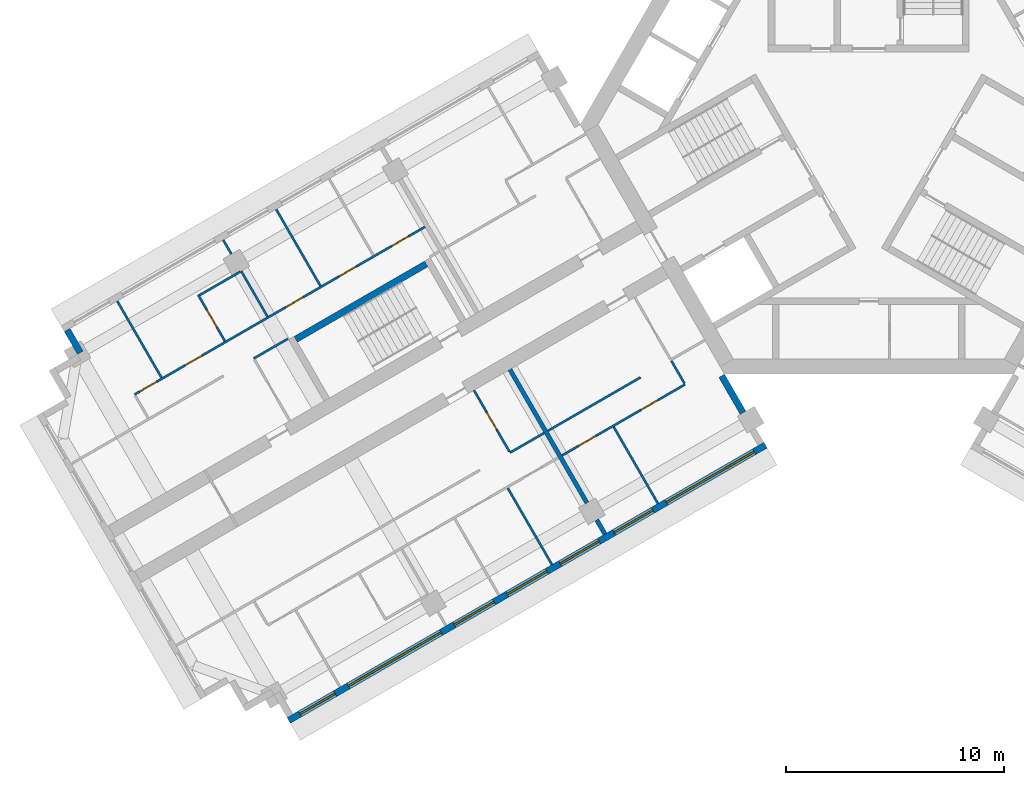
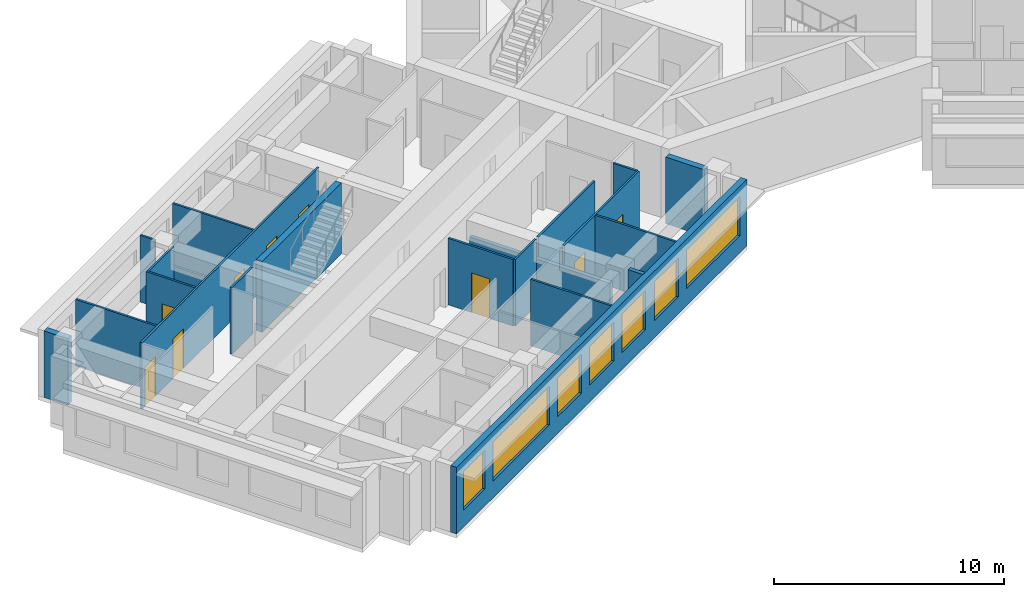
# One storey, part 3 of 12: 21 walls, 9 doors, 7 windows, 16 openings.
"""IFC4 building model written with IfcOpenShell, lengths in metres."""

from ifc_helpers import new_model, si_unit, direction, frame, frame_2d, origin, place, context, subcontext, project, spatial, rectangle, extrude, material, layer, layer_set, type_object, element, fill, save


model = new_model("IFC4")

# Units and contexts
model_context = context("Model", 3, precision=1e-05, world=origin(), true_north=direction((0.0, 1.0)))
body_context = subcontext(model_context, "Body", "Model", "MODEL_VIEW")
ifc_project = project(units=[si_unit("LENGTHUNIT", "METRE"), si_unit("AREAUNIT", "SQUARE_METRE"), si_unit("VOLUMEUNIT", "CUBIC_METRE"), si_unit("PLANEANGLEUNIT", "RADIAN"), si_unit("MASSUNIT", "GRAM", prefix="KILO")], contexts=[model_context])

# Site, building, storey
site_placement = place(None, origin())
site = spatial("IfcSite", under=ifc_project, at=site_placement, CompositionType="ELEMENT")
building_placement = place(site_placement, origin())
building = spatial("IfcBuilding", under=site, at=building_placement, Name="Impinga Residences", CompositionType="ELEMENT")
storey_placement = place(building_placement, frame((0.0, 0.0, 211.0)))
storey = spatial("IfcBuildingStorey", under=building, at=storey_placement, Name="L52", CompositionType="ELEMENT", Elevation=211.0)

# Walls
ifc_material_1 = material(Name="Terracotta rainscreen on blockwork", Category="masonry")
ifc_layer_1 = layer(ifc_material_1, 0.300048828125)
ifc_layer_set_1 = layer_set([ifc_layer_1], Name="EW1 external wall, terracotta rainscreen on blockwork 300")
wall_type_1 = type_object("IfcWallType", Name="EW1 external wall, terracotta rainscreen on blockwork 300", PredefinedType="SOLIDWALL", material=ifc_layer_set_1)
wall_1_placement = place(storey_placement, frame((-36.093994140625, -10.446533203125, 0.0), z_axis=(0.0, 0.0, 1.0), x_axis=(-0.499880961361, 0.866094119867, 0.0)))
element("IfcWall", 1, at=wall_1_placement, inside=storey, type_object=wall_type_1, Name="External wall EW1 L52", PredefinedType="SOLIDWALL", context=body_context, shape_type="SweptSolid", body=[
    extrude(rectangle(XDim=1.199951171875, YDim=0.300048828125, at=frame_2d((0.60009765625, 0.0))), origin(), (0.0, 0.0, 1.0), 3.530029296875),
])
wall_2_placement = place(storey_placement, frame((-6.72998046875, -11.506591796875, 0.0), z_axis=(0.0, 0.0, 1.0), x_axis=(0.500043961785, -0.866000020948, 0.0)))
element("IfcWall", 2, at=wall_2_placement, inside=storey, type_object=wall_type_1, Name="External wall EW1 L52", PredefinedType="SOLIDWALL", context=body_context, shape_type="SweptSolid", body=[
    extrude(rectangle(XDim=1.949951171875, YDim=0.300048828125, at=frame_2d((0.97509765625, 0.0))), origin(), (0.0, 0.0, 1.0), 3.530029296875),
])

# Wall, openings, windows
wall_3_placement = place(storey_placement, frame((-4.72509765625, -14.67919921875, 0.0), z_axis=(0.0, 0.0, 1.0), x_axis=(-0.866026832479, -0.499997525421, 0.0)))
wall_3 = element("IfcWall", 3, at=wall_3_placement, inside=storey, type_object=wall_type_1, Name="External wall EW1 L52", PredefinedType="SOLIDWALL", context=body_context, shape_type="SweptSolid", body=[
    extrude(rectangle(XDim=25.199951171875, YDim=0.300048828125, at=frame_2d((12.60009765625, 0.0))), origin(), (0.0, 0.0, 1.0), 3.530029296875),
])
opening_1_placement = place(wall_3_placement, frame((0.60009765625, 0.0, 0.89990234375)))
opening_1 = element("IfcOpeningElement", 4, at=opening_1_placement, cuts=wall_3, Name="Opening W10", PredefinedType="OPENING", context=body_context, shape_type="SweptSolid", body=[
    extrude(rectangle(XDim=4.64990234375, YDim=2.050048828125, at=frame_2d((2.324951171875, 1.02490234375))), frame((0.0, 0.159912109375, 0.0), z_axis=(0.0, -1.0, 0.0), x_axis=(1.0, 0.0, 0.0)), (0.0, 0.0, 1.0), 0.320068359375),
])
opening_2_placement = place(wall_3_placement, frame((5.949951171875, 0.0, 0.89990234375)))
opening_2 = element("IfcOpeningElement", 5, at=opening_2_placement, cuts=wall_3, Name="Opening W14", PredefinedType="OPENING", context=body_context, shape_type="SweptSolid", body=[
    extrude(rectangle(XDim=2.050048828125, YDim=2.050048828125, at=frame_2d((1.02490234375, 1.02490234375))), frame((0.0, 0.159912109375, 0.0), z_axis=(0.0, -1.0, 0.0), x_axis=(1.0, 0.0, 0.0)), (0.0, 0.0, 1.0), 0.320068359375),
])
opening_3_placement = place(wall_3_placement, frame((8.800048828125, 0.0, 0.89990234375)))
opening_3 = element("IfcOpeningElement", 6, at=opening_3_placement, cuts=wall_3, Name="Opening W14", PredefinedType="OPENING", context=body_context, shape_type="SweptSolid", body=[
    extrude(rectangle(XDim=2.050048828125, YDim=2.050048828125, at=frame_2d((1.02490234375, 1.02490234375))), frame((0.0, 0.159912109375, 0.0), z_axis=(0.0, -1.0, 0.0), x_axis=(1.0, 0.0, 0.0)), (0.0, 0.0, 1.0), 0.320068359375),
])
opening_4_placement = place(wall_3_placement, frame((11.550048828125, 0.0, 0.89990234375)))
opening_4 = element("IfcOpeningElement", 7, at=opening_4_placement, cuts=wall_3, Name="Opening W9", PredefinedType="OPENING", context=body_context, shape_type="SweptSolid", body=[
    extrude(rectangle(XDim=2.10009765625, YDim=2.050048828125, at=frame_2d((1.050048828125, 1.02490234375))), frame((0.0, 0.159912109375, 0.0), z_axis=(0.0, -1.0, 0.0), x_axis=(1.0, 0.0, 0.0)), (0.0, 0.0, 1.0), 0.320068359375),
])
opening_5_placement = place(wall_3_placement, frame((14.35009765625, 0.0, 0.89990234375)))
opening_5 = element("IfcOpeningElement", 8, at=opening_5_placement, cuts=wall_3, Name="Opening W9", PredefinedType="OPENING", context=body_context, shape_type="SweptSolid", body=[
    extrude(rectangle(XDim=2.10009765625, YDim=2.050048828125, at=frame_2d((1.050048828125, 1.02490234375))), frame((0.0, 0.159912109375, 0.0), z_axis=(0.0, -1.0, 0.0), x_axis=(1.0, 0.0, 0.0)), (0.0, 0.0, 1.0), 0.320068359375),
])
opening_6_placement = place(wall_3_placement, frame((17.14990234375, 0.0, 0.89990234375)))
opening_6 = element("IfcOpeningElement", 9, at=opening_6_placement, cuts=wall_3, Name="Opening W16", PredefinedType="OPENING", context=body_context, shape_type="SweptSolid", body=[
    extrude(rectangle(XDim=4.89990234375, YDim=2.050048828125, at=frame_2d((2.449951171875, 1.02490234375))), frame((0.0, 0.159912109375, 0.0), z_axis=(0.0, -1.0, 0.0), x_axis=(1.0, 0.0, 0.0)), (0.0, 0.0, 1.0), 0.320068359375),
])
opening_7_placement = place(wall_3_placement, frame((22.75, 0.0, 0.89990234375)))
opening_7 = element("IfcOpeningElement", 10, at=opening_7_placement, cuts=wall_3, Name="Opening W15", PredefinedType="OPENING", context=body_context, shape_type="SweptSolid", body=[
    extrude(rectangle(XDim=1.85009765625, YDim=2.050048828125, at=frame_2d((0.925048828125, 1.02490234375))), frame((0.0, 0.159912109375, 0.0), z_axis=(0.0, -1.0, 0.0), x_axis=(1.0, 0.0, 0.0)), (0.0, 0.0, 1.0), 0.320068359375),
])
ifc_material_2 = material(Name="Aluminium window, clear double glazing", Category="aluminium")
window_type_1 = type_object("IfcWindowType", Name="W10 ribbon window 4650x2050", PartitioningType="SINGLE_PANEL", PredefinedType="WINDOW", material=ifc_material_2)
window_1_placement = place(opening_1_placement, origin())
window_1 = element("IfcWindow", 11, at=window_1_placement, inside=storey, type_object=window_type_1, Name="Window L52", OverallHeight=2.050048828125, OverallWidth=4.64990234375, PartitioningType="SINGLE_PANEL", PredefinedType="WINDOW", context=body_context, shape_type="SweptSolid", body=[
    extrude(rectangle(XDim=4.64990234375, YDim=2.050048828125, at=frame_2d((2.324951171875, 1.02490234375))), frame((0.0, 0.030029296875, 0.0), z_axis=(0.0, -1.0, 0.0), x_axis=(1.0, 0.0, 0.0)), (0.0, 0.0, 1.0), 0.06005859375),
])
fill(opening_1, window_1)
window_type_2 = type_object("IfcWindowType", Name="W14 ribbon window 2050x2050", PartitioningType="SINGLE_PANEL", PredefinedType="WINDOW", material=ifc_material_2)
window_2_placement = place(opening_2_placement, origin())
window_2 = element("IfcWindow", 12, at=window_2_placement, inside=storey, type_object=window_type_2, Name="Window L52", OverallHeight=2.050048828125, OverallWidth=2.050048828125, PartitioningType="SINGLE_PANEL", PredefinedType="WINDOW", context=body_context, shape_type="SweptSolid", body=[
    extrude(rectangle(XDim=2.050048828125, YDim=2.050048828125, at=frame_2d((1.02490234375, 1.02490234375))), frame((0.0, 0.030029296875, 0.0), z_axis=(0.0, -1.0, 0.0), x_axis=(1.0, 0.0, 0.0)), (0.0, 0.0, 1.0), 0.06005859375),
])
fill(opening_2, window_2)
window_3_placement = place(opening_3_placement, origin())
window_3 = element("IfcWindow", 13, at=window_3_placement, inside=storey, type_object=window_type_2, Name="Window L52", OverallHeight=2.050048828125, OverallWidth=2.050048828125, PartitioningType="SINGLE_PANEL", PredefinedType="WINDOW", context=body_context, shape_type="SweptSolid", body=[
    extrude(rectangle(XDim=2.050048828125, YDim=2.050048828125, at=frame_2d((1.02490234375, 1.02490234375))), frame((0.0, 0.030029296875, 0.0), z_axis=(0.0, -1.0, 0.0), x_axis=(1.0, 0.0, 0.0)), (0.0, 0.0, 1.0), 0.06005859375),
])
fill(opening_3, window_3)
window_type_3 = type_object("IfcWindowType", Name="W15 ribbon window 1850x2050", PartitioningType="SINGLE_PANEL", PredefinedType="WINDOW", material=ifc_material_2)
window_4_placement = place(opening_7_placement, origin())
window_4 = element("IfcWindow", 14, at=window_4_placement, inside=storey, type_object=window_type_3, Name="Window L52", OverallHeight=2.050048828125, OverallWidth=1.85009765625, PartitioningType="SINGLE_PANEL", PredefinedType="WINDOW", context=body_context, shape_type="SweptSolid", body=[
    extrude(rectangle(XDim=1.85009765625, YDim=2.050048828125, at=frame_2d((0.925048828125, 1.02490234375))), frame((0.0, 0.030029296875, 0.0), z_axis=(0.0, -1.0, 0.0), x_axis=(1.0, 0.0, 0.0)), (0.0, 0.0, 1.0), 0.06005859375),
])
fill(opening_7, window_4)
window_type_4 = type_object("IfcWindowType", Name="W16 ribbon window 4900x2050", PartitioningType="SINGLE_PANEL", PredefinedType="WINDOW", material=ifc_material_2)
window_5_placement = place(opening_6_placement, origin())
window_5 = element("IfcWindow", 15, at=window_5_placement, inside=storey, type_object=window_type_4, Name="Window L52", OverallHeight=2.050048828125, OverallWidth=4.89990234375, PartitioningType="SINGLE_PANEL", PredefinedType="WINDOW", context=body_context, shape_type="SweptSolid", body=[
    extrude(rectangle(XDim=4.89990234375, YDim=2.050048828125, at=frame_2d((2.449951171875, 1.02490234375))), frame((0.0, 0.030029296875, 0.0), z_axis=(0.0, -1.0, 0.0), x_axis=(1.0, 0.0, 0.0)), (0.0, 0.0, 1.0), 0.06005859375),
])
fill(opening_6, window_5)
window_type_5 = type_object("IfcWindowType", Name="W9 ribbon window 2100x2050", PartitioningType="SINGLE_PANEL", PredefinedType="WINDOW", material=ifc_material_2)
window_6_placement = place(opening_4_placement, origin())
window_6 = element("IfcWindow", 16, at=window_6_placement, inside=storey, type_object=window_type_5, Name="Window L52", OverallHeight=2.050048828125, OverallWidth=2.10009765625, PartitioningType="SINGLE_PANEL", PredefinedType="WINDOW", context=body_context, shape_type="SweptSolid", body=[
    extrude(rectangle(XDim=2.10009765625, YDim=2.050048828125, at=frame_2d((1.050048828125, 1.02490234375))), frame((0.0, 0.030029296875, 0.0), z_axis=(0.0, -1.0, 0.0), x_axis=(1.0, 0.0, 0.0)), (0.0, 0.0, 1.0), 0.06005859375),
])
fill(opening_4, window_6)
window_7_placement = place(opening_5_placement, origin())
window_7 = element("IfcWindow", 17, at=window_7_placement, inside=storey, type_object=window_type_5, Name="Window L52", OverallHeight=2.050048828125, OverallWidth=2.10009765625, PartitioningType="SINGLE_PANEL", PredefinedType="WINDOW", context=body_context, shape_type="SweptSolid", body=[
    extrude(rectangle(XDim=2.10009765625, YDim=2.050048828125, at=frame_2d((1.050048828125, 1.02490234375))), frame((0.0, 0.030029296875, 0.0), z_axis=(0.0, -1.0, 0.0), x_axis=(1.0, 0.0, 0.0)), (0.0, 0.0, 1.0), 0.06005859375),
])
fill(opening_5, window_7)

# Wall
ifc_material_3 = material(Name="Gypsum board on steel studs", Category="steel")
ifc_layer_2 = layer(ifc_material_3, 0.10009765625)
ifc_layer_set_2 = layer_set([ifc_layer_2], Name="Gypsum board on steel studs")
wall_type_2 = type_object("IfcWallType", Name="IP1 partition 100", PredefinedType="PARTITIONING", material=ifc_layer_set_2)
wall_4_placement = place(storey_placement, frame((-10.444580078125, -11.57275390625, 0.0), z_axis=(0.0, 0.0, 1.0), x_axis=(-0.866023786258, -0.500002801628, 0.0)))
element("IfcWall", 18, at=wall_4_placement, inside=storey, type_object=wall_type_2, Name="Partition L52-WA1:DIV1", PredefinedType="PARTITIONING", context=body_context, shape_type="SweptSolid", body=[
    extrude(rectangle(XDim=4.89990234375, YDim=0.10009765625, at=frame_2d((2.449951171875, 0.0))), origin(), (0.0, 0.0, 1.0), 3.530029296875),
])

# Wall, openings, doors
wall_5_placement = place(storey_placement, frame((-8.408935546875, -11.8984375, 0.0), z_axis=(0.0, 0.0, 1.0), x_axis=(-0.866024837091, -0.50000098154, 0.0)))
wall_5 = element("IfcWall", 19, at=wall_5_placement, inside=storey, type_object=wall_type_2, Name="Partition L52-WA1:STRIP", PredefinedType="PARTITIONING", context=body_context, shape_type="SweptSolid", body=[
    extrude(rectangle(XDim=6.5, YDim=0.10009765625, at=frame_2d((3.25, 0.0))), origin(), (0.0, 0.0, 1.0), 3.530029296875),
])
opening_8_placement = place(wall_5_placement, frame((1.425048828125, 0.0, 0.0)))
opening_8 = element("IfcOpeningElement", 20, at=opening_8_placement, cuts=wall_5, Name="Opening D2", PredefinedType="OPENING", context=body_context, shape_type="SweptSolid", body=[
    extrude(rectangle(XDim=0.89990234375, YDim=2.10009765625, at=frame_2d((0.449951171875, 1.050048828125))), frame((0.0, 0.06005859375, 0.0), z_axis=(0.0, -1.0, 0.0), x_axis=(1.0, 0.0, 0.0)), (0.0, 0.0, 1.0), 0.1201171875),
])
opening_9_placement = place(wall_5_placement, frame((4.72509765625, 0.0, 0.0)))
opening_9 = element("IfcOpeningElement", 21, at=opening_9_placement, cuts=wall_5, Name="Opening D2", PredefinedType="OPENING", context=body_context, shape_type="SweptSolid", body=[
    extrude(rectangle(XDim=0.89990234375, YDim=2.10009765625, at=frame_2d((0.449951171875, 1.050048828125))), frame((0.0, 0.06005859375, 0.0), z_axis=(0.0, -1.0, 0.0), x_axis=(1.0, 0.0, 0.0)), (0.0, 0.0, 1.0), 0.1201171875),
])
ifc_material_4 = material(Name="Timber door set", Category="wood")
door_type = type_object("IfcDoorType", Name="D2 internal door 900x2100", OperationType="SINGLE_SWING_LEFT", PredefinedType="DOOR", material=ifc_material_4)
door_1_placement = place(opening_8_placement, origin())
door_1 = element("IfcDoor", 22, at=door_1_placement, inside=storey, type_object=door_type, Name="Apartment L52-WA1 room door", OperationType="SINGLE_SWING_LEFT", OverallHeight=2.10009765625, OverallWidth=0.89990234375, PredefinedType="DOOR", context=body_context, shape_type="SweptSolid", body=[
    extrude(rectangle(XDim=0.89990234375, YDim=2.10009765625, at=frame_2d((0.449951171875, 1.050048828125))), frame((0.0, 0.02490234375, 0.0), z_axis=(0.0, -1.0, 0.0), x_axis=(1.0, 0.0, 0.0)), (0.0, 0.0, 1.0), 0.050048828125),
])
fill(opening_8, door_1)
door_2_placement = place(opening_9_placement, origin())
door_2 = element("IfcDoor", 23, at=door_2_placement, inside=storey, type_object=door_type, Name="Apartment L52-WA1 room door", OperationType="SINGLE_SWING_RIGHT", OverallHeight=2.10009765625, OverallWidth=0.89990234375, PredefinedType="DOOR", context=body_context, shape_type="SweptSolid", body=[
    extrude(rectangle(XDim=0.89990234375, YDim=2.10009765625, at=frame_2d((0.449951171875, 1.050048828125))), frame((0.0, 0.02490234375, 0.0), z_axis=(0.0, -1.0, 0.0), x_axis=(1.0, 0.0, 0.0)), (0.0, 0.0, 1.0), 0.050048828125),
])
fill(opening_9, door_2)

# Walls
wall_6_placement = place(storey_placement, frame((-9.033935546875, -10.81591796875, 0.0), z_axis=(0.0, 0.0, 1.0), x_axis=(0.500033551112, -0.866006032174, 0.0)))
element("IfcWall", 24, at=wall_6_placement, inside=storey, type_object=wall_type_2, Name="Partition L52-WA1:SE0", PredefinedType="PARTITIONING", context=body_context, shape_type="SweptSolid", body=[
    extrude(rectangle(XDim=1.2001953125, YDim=0.10009765625, at=frame_2d((0.60009765625, 0.0))), origin(), (0.0, 0.0, 1.0), 3.530029296875),
])
wall_7_placement = place(storey_placement, frame((-11.6748046875, -13.841796875, 0.0), z_axis=(0.0, 0.0, 1.0), x_axis=(0.500035537042, -0.866004885491, 0.0)))
element("IfcWall", 25, at=wall_7_placement, inside=storey, type_object=wall_type_2, Name="Partition L52-WA1:OB1", PredefinedType="PARTITIONING", context=body_context, shape_type="SweptSolid", body=[
    extrude(rectangle(XDim=4.050048828125, YDim=0.10009765625, at=frame_2d((2.02490234375, 0.0))), origin(), (0.0, 0.0, 1.0), 3.530029296875),
])
wall_8_placement = place(storey_placement, frame((-14.861328125, -14.122802734375, 0.0), z_axis=(0.0, 0.0, 1.0), x_axis=(-0.866047807691, -0.499961193289, 0.0)))
element("IfcWall", 26, at=wall_8_placement, inside=storey, type_object=wall_type_2, Name="Partition L52-WA2:DIV0", PredefinedType="PARTITIONING", context=body_context, shape_type="SweptSolid", body=[
    extrude(rectangle(XDim=1.800048828125, YDim=0.10009765625, at=frame_2d((0.89990234375, 0.0))), origin(), (0.0, 0.0, 1.0), 3.530029296875),
])

# Wall, opening, door
wall_9_placement = place(storey_placement, frame((-18.070068359375, -12.164794921875, 0.0), z_axis=(0.0, 0.0, 1.0), x_axis=(0.499984717929, -0.866034226713, 0.0)))
wall_9 = element("IfcWall", 27, at=wall_9_placement, inside=storey, type_object=wall_type_2, Name="Partition L52-WA2:IB1", PredefinedType="PARTITIONING", context=body_context, shape_type="SweptSolid", body=[
    extrude(rectangle(XDim=3.25, YDim=0.10009765625, at=frame_2d((1.625, 0.0))), origin(), (0.0, 0.0, 1.0), 3.530029296875),
])
opening_10_placement = place(wall_9_placement, frame((1.175048828125, 0.0, 0.0)))
opening_10 = element("IfcOpeningElement", 28, at=opening_10_placement, cuts=wall_9, Name="Opening D2", PredefinedType="OPENING", context=body_context, shape_type="SweptSolid", body=[
    extrude(rectangle(XDim=0.89990234375, YDim=2.10009765625, at=frame_2d((0.449951171875, 1.050048828125))), frame((0.0, 0.06005859375, 0.0), z_axis=(0.0, -1.0, 0.0), x_axis=(1.0, 0.0, 0.0)), (0.0, 0.0, 1.0), 0.1201171875),
])
door_3_placement = place(opening_10_placement, origin())
door_3 = element("IfcDoor", 29, at=door_3_placement, inside=storey, type_object=door_type, Name="Apartment L52-WA2 bathroom door", OperationType="SINGLE_SWING_LEFT", OverallHeight=2.10009765625, OverallWidth=0.89990234375, PredefinedType="DOOR", context=body_context, shape_type="SweptSolid", body=[
    extrude(rectangle(XDim=0.89990234375, YDim=2.10009765625, at=frame_2d((0.449951171875, 1.050048828125))), frame((0.0, 0.02490234375, 0.0), z_axis=(0.0, -1.0, 0.0), x_axis=(1.0, 0.0, 0.0)), (0.0, 0.0, 1.0), 0.050048828125),
])
fill(opening_10, door_3)

# Walls
wall_10_placement = place(storey_placement, frame((-16.5244140625, -16.641845703125, 0.0), z_axis=(0.0, 0.0, 1.0), x_axis=(0.499990325971, -0.866030989016, 0.0)))
element("IfcWall", 30, at=wall_10_placement, inside=storey, type_object=wall_type_2, Name="Partition L52-WA2:OB1", PredefinedType="PARTITIONING", context=body_context, shape_type="SweptSolid", body=[
    extrude(rectangle(XDim=4.0498046875, YDim=0.10009765625, at=frame_2d((2.02490234375, 0.0))), origin(), (0.0, 0.0, 1.0), 3.530029296875),
])
wall_11_placement = place(storey_placement, frame((-26.58935546875, -9.808837890625, 0.0), z_axis=(0.0, 0.0, 1.0), x_axis=(-0.866047807691, -0.499961193289, 0.0)))
element("IfcWall", 31, at=wall_11_placement, inside=storey, type_object=wall_type_2, Name="Partition L52-WF2:DIV1", PredefinedType="PARTITIONING", context=body_context, shape_type="SweptSolid", body=[
    extrude(rectangle(XDim=1.800048828125, YDim=0.10009765625, at=frame_2d((0.89990234375, 0.0))), origin(), (0.0, 0.0, 1.0), 3.530029296875),
])

# Wall, openings, doors
wall_12_placement = place(storey_placement, frame((-20.311279296875, -4.68310546875, 0.0), z_axis=(0.0, 0.0, 1.0), x_axis=(-0.866030377306, -0.499991385509, 0.0)))
wall_12 = element("IfcWall", 32, at=wall_12_placement, inside=storey, type_object=wall_type_2, Name="Partition L52-WF2:STRIP", PredefinedType="PARTITIONING", context=body_context, shape_type="SweptSolid", body=[
    extrude(rectangle(XDim=15.349853515625, YDim=0.10009765625, at=frame_2d((7.6748046875, 0.0))), origin(), (0.0, 0.0, 1.0), 3.530029296875),
])
opening_11_placement = place(wall_12_placement, frame((0.875, 0.0, 0.0)))
opening_11 = element("IfcOpeningElement", 33, at=opening_11_placement, cuts=wall_12, Name="Opening D2", PredefinedType="OPENING", context=body_context, shape_type="SweptSolid", body=[
    extrude(rectangle(XDim=0.89990234375, YDim=2.10009765625, at=frame_2d((0.449951171875, 1.050048828125))), frame((0.0, 0.06005859375, 0.0), z_axis=(0.0, -1.0, 0.0), x_axis=(1.0, 0.0, 0.0)), (0.0, 0.0, 1.0), 0.1201171875),
])
opening_12_placement = place(wall_12_placement, frame((3.64990234375, 0.0, 0.0)))
opening_12 = element("IfcOpeningElement", 34, at=opening_12_placement, cuts=wall_12, Name="Opening D2", PredefinedType="OPENING", context=body_context, shape_type="SweptSolid", body=[
    extrude(rectangle(XDim=0.89990234375, YDim=2.10009765625, at=frame_2d((0.449951171875, 1.050048828125))), frame((0.0, 0.06005859375, 0.0), z_axis=(0.0, -1.0, 0.0), x_axis=(1.0, 0.0, 0.0)), (0.0, 0.0, 1.0), 0.1201171875),
])
opening_13_placement = place(wall_12_placement, frame((6.449951171875, 0.0, 0.0)))
opening_13 = element("IfcOpeningElement", 35, at=opening_13_placement, cuts=wall_12, Name="Opening D2", PredefinedType="OPENING", context=body_context, shape_type="SweptSolid", body=[
    extrude(rectangle(XDim=0.89990234375, YDim=2.10009765625, at=frame_2d((0.449951171875, 1.050048828125))), frame((0.0, 0.06005859375, 0.0), z_axis=(0.0, -1.0, 0.0), x_axis=(1.0, 0.0, 0.0)), (0.0, 0.0, 1.0), 0.1201171875),
])
opening_14_placement = place(wall_12_placement, frame((11.77490234375, 0.0, 0.0)))
opening_14 = element("IfcOpeningElement", 36, at=opening_14_placement, cuts=wall_12, Name="Opening D2", PredefinedType="OPENING", context=body_context, shape_type="SweptSolid", body=[
    extrude(rectangle(XDim=0.89990234375, YDim=2.10009765625, at=frame_2d((0.449951171875, 1.050048828125))), frame((0.0, 0.06005859375, 0.0), z_axis=(0.0, -1.0, 0.0), x_axis=(1.0, 0.0, 0.0)), (0.0, 0.0, 1.0), 0.1201171875),
])
opening_15_placement = place(wall_12_placement, frame((14.199951171875, 0.0, 0.0)))
opening_15 = element("IfcOpeningElement", 37, at=opening_15_placement, cuts=wall_12, Name="Opening D2", PredefinedType="OPENING", context=body_context, shape_type="SweptSolid", body=[
    extrude(rectangle(XDim=0.89990234375, YDim=2.10009765625, at=frame_2d((0.449951171875, 1.050048828125))), frame((0.0, 0.06005859375, 0.0), z_axis=(0.0, -1.0, 0.0), x_axis=(1.0, 0.0, 0.0)), (0.0, 0.0, 1.0), 0.1201171875),
])
door_4_placement = place(opening_11_placement, origin())
door_4 = element("IfcDoor", 38, at=door_4_placement, inside=storey, type_object=door_type, Name="Apartment L52-WF2 room door", OperationType="SINGLE_SWING_LEFT", OverallHeight=2.10009765625, OverallWidth=0.89990234375, PredefinedType="DOOR", context=body_context, shape_type="SweptSolid", body=[
    extrude(rectangle(XDim=0.89990234375, YDim=2.10009765625, at=frame_2d((0.449951171875, 1.050048828125))), frame((0.0, 0.02490234375, 0.0), z_axis=(0.0, -1.0, 0.0), x_axis=(1.0, 0.0, 0.0)), (0.0, 0.0, 1.0), 0.050048828125),
])
fill(opening_11, door_4)
door_5_placement = place(opening_12_placement, origin())
door_5 = element("IfcDoor", 39, at=door_5_placement, inside=storey, type_object=door_type, Name="Apartment L52-WF2 room door", OperationType="SINGLE_SWING_LEFT", OverallHeight=2.10009765625, OverallWidth=0.89990234375, PredefinedType="DOOR", context=body_context, shape_type="SweptSolid", body=[
    extrude(rectangle(XDim=0.89990234375, YDim=2.10009765625, at=frame_2d((0.449951171875, 1.050048828125))), frame((0.0, 0.02490234375, 0.0), z_axis=(0.0, -1.0, 0.0), x_axis=(1.0, 0.0, 0.0)), (0.0, 0.0, 1.0), 0.050048828125),
])
fill(opening_12, door_5)
door_6_placement = place(opening_13_placement, origin())
door_6 = element("IfcDoor", 40, at=door_6_placement, inside=storey, type_object=door_type, Name="Apartment L52-WF2 room door", OperationType="SINGLE_SWING_LEFT", OverallHeight=2.10009765625, OverallWidth=0.89990234375, PredefinedType="DOOR", context=body_context, shape_type="SweptSolid", body=[
    extrude(rectangle(XDim=0.89990234375, YDim=2.10009765625, at=frame_2d((0.449951171875, 1.050048828125))), frame((0.0, 0.02490234375, 0.0), z_axis=(0.0, -1.0, 0.0), x_axis=(1.0, 0.0, 0.0)), (0.0, 0.0, 1.0), 0.050048828125),
])
fill(opening_13, door_6)
door_7_placement = place(opening_14_placement, origin())
door_7 = element("IfcDoor", 41, at=door_7_placement, inside=storey, type_object=door_type, Name="Apartment L52-WF2 room door", OperationType="SINGLE_SWING_RIGHT", OverallHeight=2.10009765625, OverallWidth=0.89990234375, PredefinedType="DOOR", context=body_context, shape_type="SweptSolid", body=[
    extrude(rectangle(XDim=0.89990234375, YDim=2.10009765625, at=frame_2d((0.449951171875, 1.050048828125))), frame((0.0, 0.02490234375, 0.0), z_axis=(0.0, -1.0, 0.0), x_axis=(1.0, 0.0, 0.0)), (0.0, 0.0, 1.0), 0.050048828125),
])
fill(opening_14, door_7)
door_8_placement = place(opening_15_placement, origin())
door_8 = element("IfcDoor", 42, at=door_8_placement, inside=storey, type_object=door_type, Name="Apartment L52-WF2 room door", OperationType="SINGLE_SWING_RIGHT", OverallHeight=2.10009765625, OverallWidth=0.89990234375, PredefinedType="DOOR", context=body_context, shape_type="SweptSolid", body=[
    extrude(rectangle(XDim=0.89990234375, YDim=2.10009765625, at=frame_2d((0.449951171875, 1.050048828125))), frame((0.0, 0.02490234375, 0.0), z_axis=(0.0, -1.0, 0.0), x_axis=(1.0, 0.0, 0.0)), (0.0, 0.0, 1.0), 0.050048828125),
])
fill(opening_15, door_8)

# Walls
wall_13_placement = place(storey_placement, frame((-25.099365234375, -7.3896484375, 0.0), z_axis=(0.0, 0.0, 1.0), x_axis=(-0.499990325971, 0.866030989016, 0.0)))
element("IfcWall", 43, at=wall_13_placement, inside=storey, type_object=wall_type_2, Name="Partition L52-WF2:OB2", PredefinedType="PARTITIONING", context=body_context, shape_type="SweptSolid", body=[
    extrude(rectangle(XDim=4.0498046875, YDim=0.10009765625, at=frame_2d((2.02490234375, 0.0))), origin(), (0.0, 0.0, 1.0), 3.530029296875),
])
wall_14_placement = place(storey_placement, frame((-27.524169921875, -8.789794921875, 0.0), z_axis=(0.0, 0.0, 1.0), x_axis=(-0.499957262057, 0.866050077142, 0.0)))
element("IfcWall", 44, at=wall_14_placement, inside=storey, type_object=wall_type_2, Name="Partition L52-WF2:OB3", PredefinedType="PARTITIONING", context=body_context, shape_type="SweptSolid", body=[
    extrude(rectangle(XDim=2.400146484375, YDim=0.10009765625, at=frame_2d((1.2001953125, 0.0))), origin(), (0.0, 0.0, 1.0), 2.47998046875),
])
wall_15_placement = place(storey_placement, frame((-29.17431640625, -5.931884765625, 0.0), z_axis=(0.0, 0.0, 1.0), x_axis=(-0.499919672301, 0.866071776036, 0.0)))
element("IfcWall", 45, at=wall_15_placement, inside=storey, type_object=wall_type_2, Name="Partition L52-WF2:OB3b", PredefinedType="PARTITIONING", context=body_context, shape_type="SweptSolid", body=[
    extrude(rectangle(XDim=0.75, YDim=0.10009765625, at=frame_2d((0.375, 0.0))), origin(), (0.0, 0.0, 1.0), 3.530029296875),
])
wall_16_placement = place(storey_placement, frame((-32.3740234375, -11.589599609375, 0.0), z_axis=(0.0, 0.0, 1.0), x_axis=(-0.499990325971, 0.866030989016, 0.0)))
element("IfcWall", 46, at=wall_16_placement, inside=storey, type_object=wall_type_2, Name="Partition L52-WF2:OB4", PredefinedType="PARTITIONING", context=body_context, shape_type="SweptSolid", body=[
    extrude(rectangle(XDim=4.0498046875, YDim=0.10009765625, at=frame_2d((2.02490234375, 0.0))), origin(), (0.0, 0.0, 1.0), 3.530029296875),
])

# Wall, opening, door
wall_17_placement = place(storey_placement, frame((-29.472900390625, -9.914794921875, 0.0), z_axis=(0.0, 0.0, 1.0), x_axis=(-0.499943856944, 0.866057815567, 0.0)))
wall_17 = element("IfcWall", 47, at=wall_17_placement, inside=storey, type_object=wall_type_2, Name="Partition L52-WF2:EN1", PredefinedType="PARTITIONING", context=body_context, shape_type="SweptSolid", body=[
    extrude(rectangle(XDim=2.449951171875, YDim=0.10009765625, at=frame_2d((1.22509765625, 0.0))), origin(), (0.0, 0.0, 1.0), 3.530029296875),
])
opening_16_placement = place(wall_17_placement, frame((0.75, 0.0, 0.0)))
opening_16 = element("IfcOpeningElement", 48, at=opening_16_placement, cuts=wall_17, Name="Opening D2", PredefinedType="OPENING", context=body_context, shape_type="SweptSolid", body=[
    extrude(rectangle(XDim=0.89990234375, YDim=2.10009765625, at=frame_2d((0.449951171875, 1.050048828125))), frame((0.0, 0.06005859375, 0.0), z_axis=(0.0, -1.0, 0.0), x_axis=(1.0, 0.0, 0.0)), (0.0, 0.0, 1.0), 0.1201171875),
])
door_9_placement = place(opening_16_placement, origin())
door_9 = element("IfcDoor", 49, at=door_9_placement, inside=storey, type_object=door_type, Name="Apartment L52-WF2 en-suite door", OperationType="SINGLE_SWING_LEFT", OverallHeight=2.10009765625, OverallWidth=0.89990234375, PredefinedType="DOOR", context=body_context, shape_type="SweptSolid", body=[
    extrude(rectangle(XDim=0.89990234375, YDim=2.10009765625, at=frame_2d((0.449951171875, 1.050048828125))), frame((0.0, 0.02490234375, 0.0), z_axis=(0.0, -1.0, 0.0), x_axis=(1.0, 0.0, 0.0)), (0.0, 0.0, 1.0), 0.050048828125),
])
fill(opening_16, door_9)

# Walls
wall_18_placement = place(storey_placement, frame((-28.767578125, -6.736328125, 0.0), z_axis=(0.0, 0.0, 1.0), x_axis=(-0.866019166195, -0.500010803666, 0.0)))
element("IfcWall", 50, at=wall_18_placement, inside=storey, type_object=wall_type_2, Name="Partition L52-WF2:EN2", PredefinedType="PARTITIONING", context=body_context, shape_type="SweptSolid", body=[
    extrude(rectangle(XDim=2.14990234375, YDim=0.10009765625, at=frame_2d((1.074951171875, 0.0))), origin(), (0.0, 0.0, 1.0), 3.530029296875),
])
ifc_material_5 = material(Name="Concrete blockwork", Category="masonry")
ifc_layer_3 = layer(ifc_material_5, 0.199951171875)
ifc_layer_set_3 = layer_set([ifc_layer_3], Name="PW1 party wall between apartments 200")
wall_type_3 = type_object("IfcWallType", Name="PW1 party wall between apartments 200", PredefinedType="SOLIDWALL", material=ifc_layer_set_3)
wall_19_placement = place(storey_placement, frame((-16.424560546875, -11.21484375, 0.0), z_axis=(0.0, 0.0, 1.0), x_axis=(0.499990246421, -0.866031034943, 0.0)))
element("IfcWall", 51, at=wall_19_placement, inside=storey, type_object=wall_type_3, Name="Party wall between apartments L52-WA1:PARTY", PredefinedType="SOLIDWALL", context=body_context, shape_type="SweptSolid", body=[
    extrude(rectangle(XDim=7.050048828125, YDim=0.199951171875, at=frame_2d((3.52490234375, 0.0))), origin(), (0.0, 0.0, 1.0), 2.47998046875),
])
wall_20_placement = place(storey_placement, frame((-12.44970703125, -18.099609375, 0.0), z_axis=(0.0, 0.0, 1.0), x_axis=(0.499919672301, -0.866071776036, 0.0)))
element("IfcWall", 52, at=wall_20_placement, inside=storey, type_object=wall_type_3, Name="Party wall between apartments L52-WA1:PARTYb", PredefinedType="SOLIDWALL", context=body_context, shape_type="SweptSolid", body=[
    extrude(rectangle(XDim=0.75, YDim=0.199951171875, at=frame_2d((0.375, 0.0))), origin(), (0.0, 0.0, 1.0), 3.530029296875),
])
ifc_material_6 = material(Name="Concrete C60/75", Category="concrete")
ifc_layer_4 = layer(ifc_material_6, 0.300048828125)
ifc_layer_set_4 = layer_set([ifc_layer_4], Name="Concrete C60/75")
wall_type_4 = type_object("IfcWallType", Name="SE1 wing stair enclosure wall 300", PredefinedType="SOLIDWALL", material=ifc_layer_set_4)
wall_21_placement = place(storey_placement, frame((-20.254150390625, -6.382080078125, 0.0), z_axis=(0.0, 0.0, 1.0), x_axis=(-0.866020008033, -0.500009345598, 0.0)))
element("IfcWall", 53, at=wall_21_placement, inside=storey, type_object=wall_type_4, Name="Stair enclosure wall SE1 W OUT L52", PredefinedType="SOLIDWALL", context=body_context, shape_type="SweptSolid", body=[
    extrude(rectangle(XDim=6.899658203125, YDim=0.300048828125, at=frame_2d((3.44970703125, 0.0))), origin(), (0.0, 0.0, 1.0), 3.75),
])

save(model, "model.ifc")
